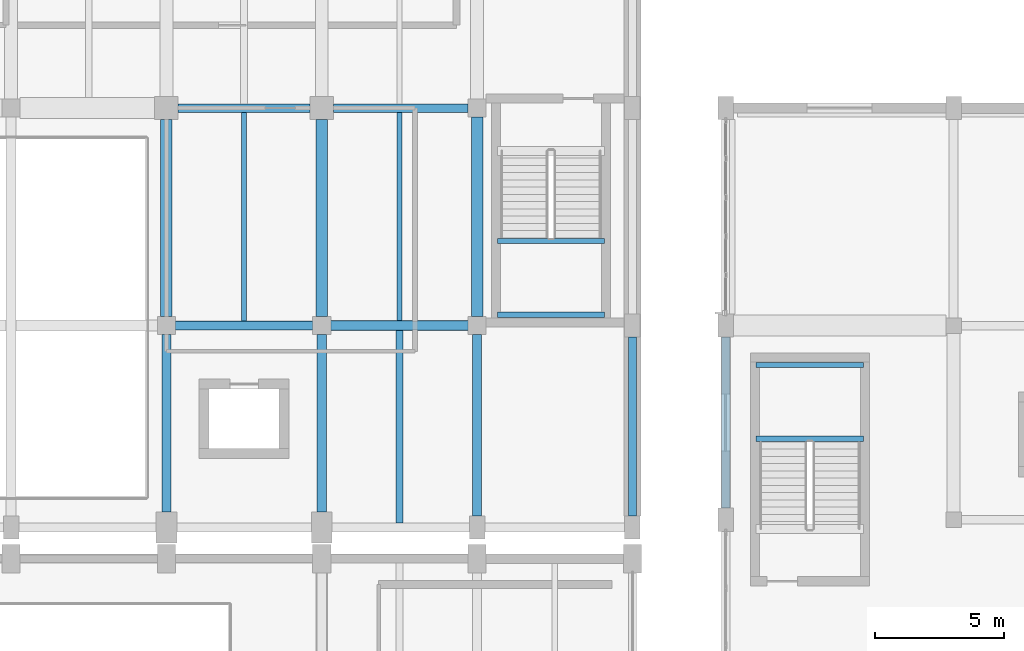
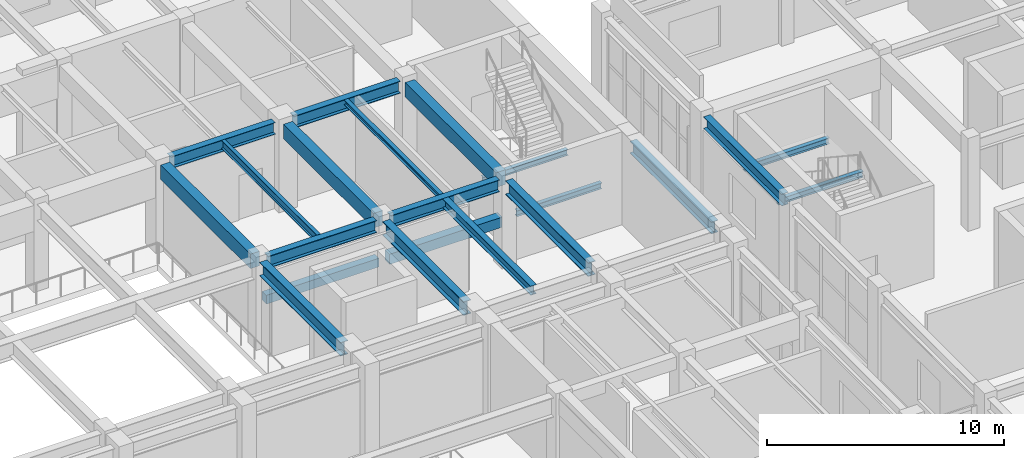
# One storey, part 50 of 96: 21 beams.
"""IFC4 building model written with IfcOpenShell, lengths in metres."""

from ifc_helpers import new_model, si_unit, direction, frame, origin, origin_2d, place, context, subcontext, project, spatial, rectangle, i_section, extrude, material, material_profile, profile_set, type_object, element, save


model = new_model("IFC4")

# Units and contexts
model_context = context("Model", 3, precision=1e-05, world=origin(), true_north=direction((0.0, 1.0)))
body_context = subcontext(model_context, "Body", "Model", "MODEL_VIEW")
ifc_project = project(units=[si_unit("LENGTHUNIT", "METRE"), si_unit("AREAUNIT", "SQUARE_METRE"), si_unit("VOLUMEUNIT", "CUBIC_METRE"), si_unit("PLANEANGLEUNIT", "RADIAN"), si_unit("MASSUNIT", "GRAM", prefix="KILO")], contexts=[model_context])

# Site, building, storey
site_placement = place(None, origin())
site = spatial("IfcSite", under=ifc_project, at=site_placement, CompositionType="ELEMENT")
building_placement = place(site_placement, origin())
building = spatial("IfcBuilding", under=site, at=building_placement, Name="Vaelkrest Opera House", CompositionType="ELEMENT")
storey_placement = place(building_placement, frame((0.0, 0.0, 5.39990234375)))
storey = spatial("IfcBuildingStorey", under=building, at=storey_placement, Name="L01", CompositionType="ELEMENT", Elevation=5.39990234375)

# Beams
ifc_material_1 = material(Name="Concrete C50/60", Category="concrete")
ifc_material_profile_1 = material_profile(ifc_material_1, rectangle(XDim=0.449951171875, YDim=0.75, at=origin_2d()), Name="RCB450X750")
ifc_profile_set_1 = profile_set([ifc_material_profile_1], Name="Concrete C50/60")
beam_type_1 = type_object("IfcBeamType", Name="B02", PredefinedType="BEAM", material=ifc_profile_set_1)
for number, where, z_axis, x_axis, name in (
    (1, (12.0, 25.550048828125, 4.125), (0.0, 1.0, 0.0), (-1.0, 0.0, 0.0), "Beam BM-V2-L01-0923"),
    (2, (18.0, 25.550048828125, 4.125), (0.0, 1.0, 0.0), (-1.0, 0.0, 0.0), "Beam BM-V2-L01-0927"),
):
    element("IfcBeam", number, at=place(storey_placement, frame(where, z_axis=z_axis, x_axis=x_axis)), inside=storey, type_object=beam_type_1, Name=name, PredefinedType="BEAM", context=body_context, shape_type="SweptSolid", body=[
        extrude(rectangle(XDim=0.449951171875, YDim=0.75, at=origin_2d()), origin(), (0.0, 0.0, 1.0), 7.599853515625),
    ])
beam_1_placement = place(storey_placement, frame((24.0, 25.550048828125, 4.125), z_axis=(0.0, 1.0, 0.0), x_axis=(-1.0, 0.0, 0.0)))
element("IfcBeam", 3, at=beam_1_placement, inside=storey, type_object=beam_type_1, Name="Beam BM-V2-L01-0931", PredefinedType="BEAM", context=body_context, shape_type="SweptSolid", body=[
    extrude(rectangle(XDim=0.449951171875, YDim=0.75, at=origin_2d()), origin(), (0.0, 0.0, 1.0), 7.699951171875),
])
ifc_material_2 = material(Name="Steel A992 Gr50", Category="steel")
ifc_material_profile_2 = material_profile(ifc_material_2, i_section(OverallWidth=0.323974609375, OverallDepth=0.611083984375, WebThickness=0.0126953125, FlangeThickness=0.01904296875, at=origin_2d()), Name="W24X104")
ifc_profile_set_2 = profile_set([ifc_material_profile_2], Name="Steel A992 Gr50")
beam_type_2 = type_object("IfcBeamType", Name="B08", PredefinedType="BEAM", material=ifc_profile_set_2)
beam_2_placement = place(storey_placement, frame((12.449951171875, 33.60009765625, 4.194580078125), z_axis=(1.0, 0.0, 0.0), x_axis=(0.0, 1.0, 0.0)))
element("IfcBeam", 4, at=beam_2_placement, inside=storey, type_object=beam_type_2, Name="Beam BM-V2-L01-0881", PredefinedType="BEAM", context=body_context, shape_type="SweptSolid", body=[
    extrude(i_section(OverallWidth=0.323974609375, OverallDepth=0.611083984375, WebThickness=0.0126953125, FlangeThickness=0.01904296875, at=origin_2d()), origin(), (0.0, 0.0, 1.0), 5.10009765625),
])
ifc_material_profile_3 = material_profile(ifc_material_2, i_section(OverallWidth=0.327880859375, OverallDepth=0.6279296875, WebThickness=0.0166015625, FlangeThickness=0.027587890625, at=origin_2d()), Name="W24X146")
ifc_profile_set_3 = profile_set([ifc_material_profile_3], Name="Steel A992 Gr50")
beam_type_3 = type_object("IfcBeamType", Name="B09", PredefinedType="BEAM", material=ifc_profile_set_3)
beam_3_placement = place(storey_placement, frame((12.35009765625, 25.199951171875, 4.18603515625), z_axis=(1.0, 0.0, 0.0), x_axis=(0.0, 1.0, 0.0)))
element("IfcBeam", 5, at=beam_3_placement, inside=storey, type_object=beam_type_3, Name="Beam BM-V2-L01-0874", PredefinedType="BEAM", context=body_context, shape_type="SweptSolid", body=[
    extrude(i_section(OverallWidth=0.327880859375, OverallDepth=0.6279296875, WebThickness=0.0166015625, FlangeThickness=0.027587890625, at=origin_2d()), origin(), (0.0, 0.0, 1.0), 5.2998046875),
])
beam_4_placement = place(storey_placement, frame((18.449951171875, 33.60009765625, 4.18603515625), z_axis=(1.0, 0.0, 0.0), x_axis=(0.0, 1.0, 0.0)))
element("IfcBeam", 6, at=beam_4_placement, inside=storey, type_object=beam_type_3, Name="Beam BM-V2-L01-0882", PredefinedType="BEAM", context=body_context, shape_type="SweptSolid", body=[
    extrude(i_section(OverallWidth=0.327880859375, OverallDepth=0.6279296875, WebThickness=0.0166015625, FlangeThickness=0.027587890625, at=origin_2d()), origin(), (0.0, 0.0, 1.0), 5.199951171875),
])
ifc_material_profile_4 = material_profile(ifc_material_2, i_section(OverallWidth=0.35791015625, OverallDepth=0.7060546875, WebThickness=0.018310546875, FlangeThickness=0.0302734375, at=origin_2d()), Name="W27X178")
ifc_profile_set_4 = profile_set([ifc_material_profile_4], Name="Steel A992 Gr50")
beam_type_4 = type_object("IfcBeamType", Name="B14", PredefinedType="BEAM", material=ifc_profile_set_4)
for number, where, z_axis, x_axis, name in (
    (7, (12.0, 18.0, 4.147216796875), (0.0, 1.0, 0.0), (-1.0, 0.0, 0.0), "Beam BM-V2-L01-0922"),
    (8, (18.0, 18.0, 4.147216796875), (0.0, 1.0, 0.0), (-1.0, 0.0, 0.0), "Beam BM-V2-L01-0926"),
):
    element("IfcBeam", number, at=place(storey_placement, frame(where, z_axis=z_axis, x_axis=x_axis)), inside=storey, type_object=beam_type_4, Name=name, PredefinedType="BEAM", context=body_context, shape_type="SweptSolid", body=[
        extrude(i_section(OverallWidth=0.35791015625, OverallDepth=0.7060546875, WebThickness=0.018310546875, FlangeThickness=0.0302734375, at=origin_2d()), origin(), (0.0, 0.0, 1.0), 6.85009765625),
    ])
beam_5_placement = place(storey_placement, frame((24.0, 17.85009765625, 4.147216796875), z_axis=(0.0, 1.0, 0.0), x_axis=(-1.0, 0.0, 0.0)))
element("IfcBeam", 9, at=beam_5_placement, inside=storey, type_object=beam_type_4, Name="Beam BM-V2-L01-0930", PredefinedType="BEAM", context=body_context, shape_type="SweptSolid", body=[
    extrude(i_section(OverallWidth=0.35791015625, OverallDepth=0.7060546875, WebThickness=0.018310546875, FlangeThickness=0.0302734375, at=origin_2d()), origin(), (0.0, 0.0, 1.0), 7.0),
])
ifc_material_profile_5 = material_profile(ifc_material_2, i_section(OverallWidth=0.326904296875, OverallDepth=0.6220703125, WebThickness=0.015380859375, FlangeThickness=0.0244140625, at=origin_2d()), Name="W24X131")
ifc_profile_set_5 = profile_set([ifc_material_profile_5], Name="Steel A992 Gr50")
beam_type_5 = type_object("IfcBeamType", Name="B19", PredefinedType="BEAM", material=ifc_profile_set_5)
beam_6_placement = place(storey_placement, frame((18.35009765625, 25.199951171875, 4.189208984375), z_axis=(1.0, 0.0, 0.0), x_axis=(0.0, 1.0, 0.0)))
element("IfcBeam", 10, at=beam_6_placement, inside=storey, type_object=beam_type_5, Name="Beam BM-V2-L01-0875", PredefinedType="BEAM", context=body_context, shape_type="SweptSolid", body=[
    extrude(i_section(OverallWidth=0.326904296875, OverallDepth=0.6220703125, WebThickness=0.015380859375, FlangeThickness=0.0244140625, at=origin_2d()), origin(), (0.0, 0.0, 1.0), 5.2998046875),
])
ifc_material_profile_6 = material_profile(ifc_material_2, i_section(OverallWidth=0.2041015625, OverallDepth=0.257080078125, WebThickness=0.0087890625, FlangeThickness=0.015625, at=origin_2d()), Name="W10X45")
ifc_profile_set_6 = profile_set([ifc_material_profile_6], Name="Steel A992 Gr50")
beam_type_6 = type_object("IfcBeamType", Name="J01", PredefinedType="JOIST", material=ifc_profile_set_6)
beam_7_placement = place(storey_placement, frame((21.0, 25.363525390625, 4.37158203125), z_axis=(0.0, 1.0, 0.0), x_axis=(-1.0, 0.0, 0.0)))
element("IfcBeam", 11, at=beam_7_placement, inside=storey, type_object=beam_type_6, Name="Floor joist JST-V2-L01-0951", PredefinedType="JOIST", context=body_context, shape_type="SweptSolid", body=[
    extrude(i_section(OverallWidth=0.2041015625, OverallDepth=0.257080078125, WebThickness=0.0087890625, FlangeThickness=0.015625, at=origin_2d()), origin(), (0.0, 0.0, 1.0), 8.072509765625),
])
ifc_material_profile_7 = material_profile(ifc_material_2, i_section(OverallWidth=0.202880859375, OverallDepth=0.302978515625, WebThickness=0.007568359375, FlangeThickness=0.01318359375, at=origin_2d()), Name="W12X40")
ifc_profile_set_7 = profile_set([ifc_material_profile_7], Name="Steel A992 Gr50")
beam_type_7 = type_object("IfcBeamType", Name="J02", PredefinedType="JOIST", material=ifc_profile_set_7)
for number, where, z_axis, x_axis, name in (
    (12, (24.780029296875, 25.6201171875, 2.048583984375), (1.0, 0.0, 0.0), (0.0, 1.0, 0.0), "Stair landing bearer beam ST06 L01-1N"),
    (13, (24.780029296875, 28.469970703125, 2.048583984375), (1.0, 0.0, 0.0), (0.0, 1.0, 0.0), "Stair landing bearer beam ST06 L01-1F"),
    (14, (34.780029296875, 20.830078125, 2.048583984375), (1.0, 0.0, 0.0), (0.0, 1.0, 0.0), "Stair landing bearer beam ST09 L01-1N"),
    (15, (34.780029296875, 23.679931640625, 2.048583984375), (1.0, 0.0, 0.0), (0.0, 1.0, 0.0), "Stair landing bearer beam ST09 L01-1F"),
):
    element("IfcBeam", number, at=place(storey_placement, frame(where, z_axis=z_axis, x_axis=x_axis)), inside=storey, type_object=beam_type_7, Name=name, PredefinedType="JOIST", context=body_context, shape_type="SweptSolid", body=[
        extrude(i_section(OverallWidth=0.202880859375, OverallDepth=0.302978515625, WebThickness=0.007568359375, FlangeThickness=0.01318359375, at=origin_2d()), origin(), (0.0, 0.0, 1.0), 4.139892578125),
    ])
ifc_material_profile_8 = material_profile(ifc_material_2, i_section(OverallWidth=0.180908203125, OverallDepth=0.4169921875, WebThickness=0.010986328125, FlangeThickness=0.018310546875, at=origin_2d()), Name="W16X57")
ifc_profile_set_8 = profile_set([ifc_material_profile_8], Name="Steel A992 Gr50")
beam_type_8 = type_object("IfcBeamType", Name="J07", PredefinedType="JOIST", material=ifc_profile_set_8)
beam_8_placement = place(storey_placement, frame((15.0, 25.364013671875, 4.29150390625), z_axis=(0.0, 1.0, 0.0), x_axis=(-1.0, 0.0, 0.0)))
element("IfcBeam", 16, at=beam_8_placement, inside=storey, type_object=beam_type_8, Name="Floor joist JST-V2-L01-0947", PredefinedType="JOIST", context=body_context, shape_type="SweptSolid", body=[
    extrude(i_section(OverallWidth=0.180908203125, OverallDepth=0.4169921875, WebThickness=0.010986328125, FlangeThickness=0.018310546875, at=origin_2d()), origin(), (0.0, 0.0, 1.0), 8.073974609375),
])
ifc_material_profile_9 = material_profile(ifc_material_2, i_section(OverallWidth=0.282958984375, OverallDepth=0.471923828125, WebThickness=0.013671875, FlangeThickness=0.022216796875, at=origin_2d()), Name="W18X97")
ifc_profile_set_9 = profile_set([ifc_material_profile_9], Name="Steel A992 Gr50")
beam_type_9 = type_object("IfcBeamType", Name="J10", PredefinedType="JOIST", material=ifc_profile_set_9)
beam_9_placement = place(storey_placement, frame((21.0, 17.577392578125, 4.26416015625), z_axis=(0.0, 1.0, 0.0), x_axis=(-1.0, 0.0, 0.0)))
element("IfcBeam", 17, at=beam_9_placement, inside=storey, type_object=beam_type_9, Name="Floor joist JST-V2-L01-0950", PredefinedType="JOIST", context=body_context, shape_type="SweptSolid", body=[
    extrude(i_section(OverallWidth=0.282958984375, OverallDepth=0.471923828125, WebThickness=0.013671875, FlangeThickness=0.022216796875, at=origin_2d()), origin(), (0.0, 0.0, 1.0), 7.459228515625),
])
ifc_material_profile_10 = material_profile(ifc_material_1, rectangle(XDim=0.35009765625, YDim=0.449951171875, at=origin_2d()), Name="RCB350X450")
ifc_profile_set_10 = profile_set([ifc_material_profile_10], Name="Concrete C50/60")
beam_type_10 = type_object("IfcBeamType", Name="LN01", PredefinedType="LINTEL", material=ifc_profile_set_10)
beam_10_placement = place(storey_placement, frame((12.25, 25.199951171875, 2.300048828125), z_axis=(1.0, 0.0, 0.0), x_axis=(0.0, 1.0, 0.0)))
element("IfcBeam", 18, at=beam_10_placement, inside=storey, type_object=beam_type_10, Name="Portal lintel L01-1", PredefinedType="LINTEL", context=body_context, shape_type="SweptSolid", body=[
    extrude(rectangle(XDim=0.35009765625, YDim=0.449951171875, at=origin_2d()), origin(), (0.0, 0.0, 1.0), 5.5),
])
ifc_material_profile_11 = material_profile(ifc_material_1, rectangle(XDim=0.39990234375, YDim=0.52001953125, at=origin_2d()), Name="RCB400X520")
ifc_profile_set_11 = profile_set([ifc_material_profile_11], Name="Concrete C50/60")
beam_type_11 = type_object("IfcBeamType", Name="LN02", PredefinedType="LINTEL", material=ifc_profile_set_11)
beam_11_placement = place(storey_placement, frame((18.25, 25.199951171875, 2.300048828125), z_axis=(1.0, 0.0, 0.0), x_axis=(0.0, 1.0, 0.0)))
element("IfcBeam", 19, at=beam_11_placement, inside=storey, type_object=beam_type_11, Name="Portal lintel L01-2", PredefinedType="LINTEL", context=body_context, shape_type="SweptSolid", body=[
    extrude(rectangle(XDim=0.39990234375, YDim=0.52001953125, at=origin_2d()), origin(), (0.0, 0.0, 1.0), 5.5),
])
ifc_material_profile_12 = material_profile(ifc_material_2, i_section(OverallWidth=0.323974609375, OverallDepth=0.611083984375, WebThickness=0.0126953125, FlangeThickness=0.01904296875, at=origin_2d()), Name="W24X104")
ifc_profile_set_12 = profile_set([ifc_material_profile_12], Name="Steel A992 Gr50")
beam_type_12 = type_object("IfcBeamType", Name="SP01", PredefinedType="SPANDREL", material=ifc_profile_set_12)
beam_12_placement = place(storey_placement, frame((30.0, 17.85009765625, 4.194580078125), z_axis=(0.0, 1.0, 0.0), x_axis=(-1.0, 0.0, 0.0)))
element("IfcBeam", 20, at=beam_12_placement, inside=storey, type_object=beam_type_12, Name="Beam BM-V2-L01-0934", PredefinedType="SPANDREL", context=body_context, shape_type="SweptSolid", body=[
    extrude(i_section(OverallWidth=0.323974609375, OverallDepth=0.611083984375, WebThickness=0.0126953125, FlangeThickness=0.01904296875, at=origin_2d()), origin(), (0.0, 0.0, 1.0), 6.89990234375),
])
beam_13_placement = place(storey_placement, frame((33.60009765625, 18.14990234375, 4.194580078125), z_axis=(0.0, 1.0, 0.0), x_axis=(-1.0, 0.0, 0.0)))
element("IfcBeam", 21, at=beam_13_placement, inside=storey, type_object=beam_type_12, Name="Beam BM-V4-L01-2170", PredefinedType="SPANDREL", context=body_context, shape_type="SweptSolid", body=[
    extrude(i_section(OverallWidth=0.323974609375, OverallDepth=0.611083984375, WebThickness=0.0126953125, FlangeThickness=0.01904296875, at=origin_2d()), origin(), (0.0, 0.0, 1.0), 6.60009765625),
])

save(model, "model.ifc")
